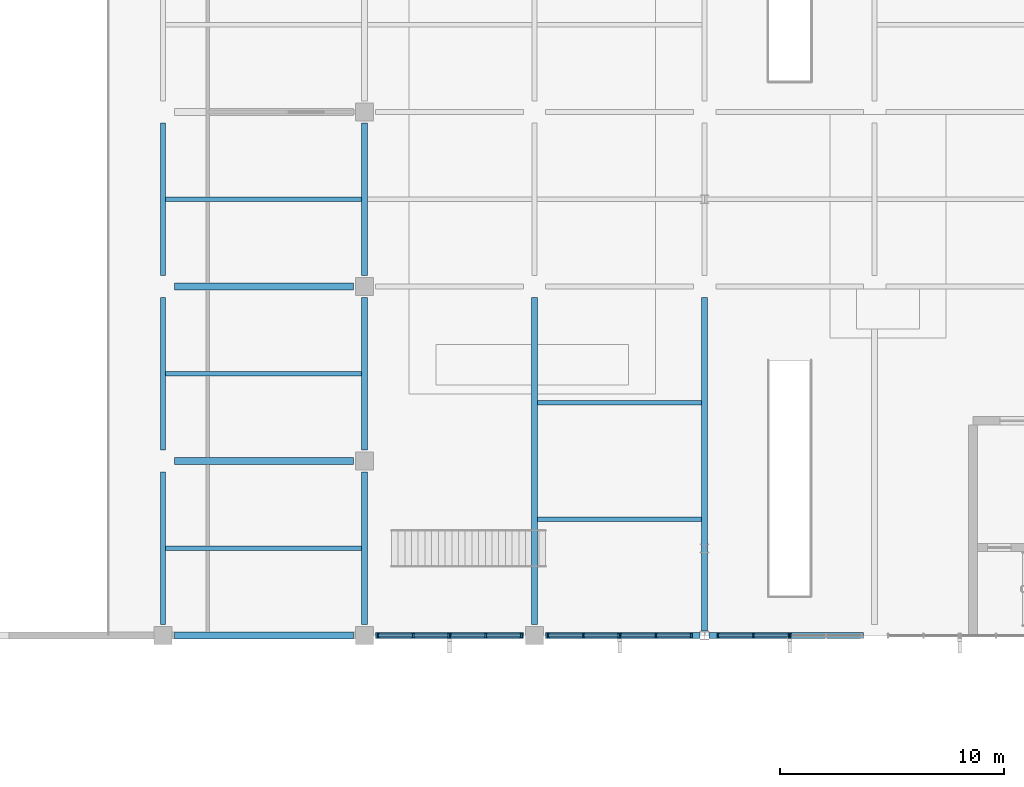
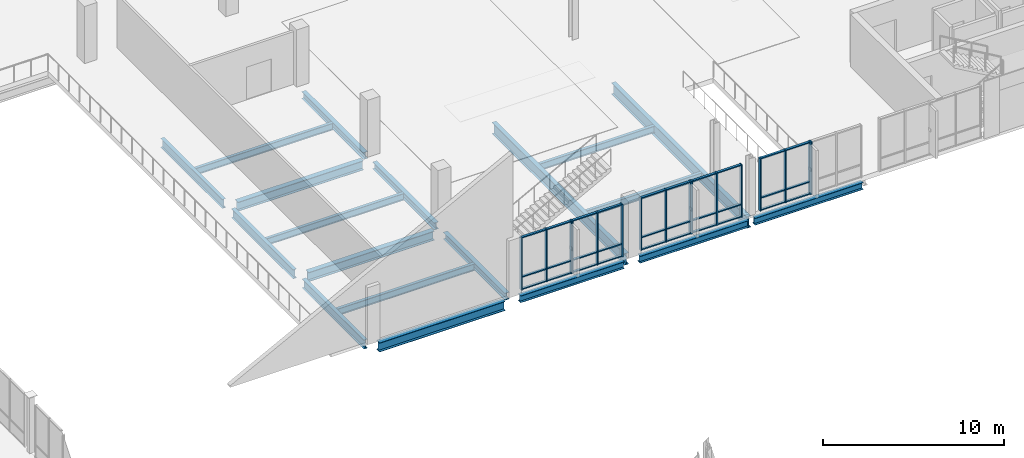
# One storey, part 25 of 85: 46 members, 19 beams, 6 elements without a shape of their own.
"""IFC4 building model written with IfcOpenShell, lengths in metres."""

from ifc_helpers import new_model, si_unit, direction, frame, origin, origin_2d, place, context, subcontext, project, spatial, rectangle, i_section, extrude, material, material_profile, profile_set, type_object, element, aggregate, save


model = new_model("IFC4")

# Units and contexts
model_context = context("Model", 3, precision=1e-05, world=origin(), true_north=direction((0.0, 1.0)))
body_context = subcontext(model_context, "Body", "Model", "MODEL_VIEW")
ifc_project = project(units=[si_unit("LENGTHUNIT", "METRE"), si_unit("AREAUNIT", "SQUARE_METRE"), si_unit("VOLUMEUNIT", "CUBIC_METRE"), si_unit("PLANEANGLEUNIT", "RADIAN"), si_unit("MASSUNIT", "GRAM", prefix="KILO")], contexts=[model_context])

# Site, building, storey
site_placement = place(None, origin())
site = spatial("IfcSite", under=ifc_project, at=site_placement, CompositionType="ELEMENT")
building_placement = place(site_placement, origin())
building = spatial("IfcBuilding", under=site, at=building_placement, Name="Vervanel Yard Central Library", CompositionType="ELEMENT")
storey_placement = place(building_placement, frame((0.0, 0.0, 5.10009765625)))
storey = spatial("IfcBuildingStorey", under=building, at=storey_placement, Name="L01", CompositionType="ELEMENT", Elevation=5.10009765625)

# Curtain wall, members
ifc_material_1 = material(Name="Thermally broken anodized aluminium 6063-T6", Category="aluminium")
curtain_wall_type = type_object("IfcCurtainWallType", Name="Reading Hall Full-Height Curtain Wall", PredefinedType="NOTDEFINED", material=ifc_material_1)
curtain_wall_1_placement = place(storey_placement, origin())
curtain_wall_1 = element("IfcCurtainWall", 1, at=curtain_wall_1_placement, inside=storey, type_object=curtain_wall_type, Name="L01 Reading Hall Full-Height Curtain Wall CWR-L01-060", PredefinedType="NOTDEFINED")
ifc_material_profile_1 = material_profile(ifc_material_1, rectangle(XDim=0.070068359375, YDim=0.219970703125, at=origin_2d()), Name="ALU 70x220", Category="aluminium")
ifc_profile_set_1 = profile_set([ifc_material_profile_1], Name="Thermally broken anodized aluminium 6063-T6")
member_type_1 = type_object("IfcMemberType", Name="Reading Hall Deep Mullion 70x220", PredefinedType="MULLION", material=ifc_profile_set_1)
member_1_placement = place(storey_placement, frame((108.594970703125, 43.199951171875, 0.0), z_axis=(0.0, 0.0, 1.0), x_axis=(1.0, 0.0, 0.0)))
member_1 = element("IfcMember", 2, at=member_1_placement, type_object=member_type_1, Name="CWR-L01-060 Mullion 1", PredefinedType="MULLION", context=body_context, shape_type="SweptSolid", body=[
    extrude(rectangle(XDim=0.070068359375, YDim=0.219970703125, at=origin_2d()), origin(), (0.0, 0.0, 1.0), 3.52978515625),
])
member_2_placement = place(storey_placement, frame((110.179931640625, 43.199951171875, 0.0), z_axis=(0.0, 0.0, 1.0), x_axis=(1.0, 0.0, 0.0)))
member_2 = element("IfcMember", 3, at=member_2_placement, type_object=member_type_1, Name="CWR-L01-060 Mullion 2", PredefinedType="MULLION", context=body_context, shape_type="SweptSolid", body=[
    extrude(rectangle(XDim=0.070068359375, YDim=0.219970703125, at=origin_2d()), origin(), (0.0, 0.0, 1.0), 3.52978515625),
])
member_3_placement = place(storey_placement, frame((111.764892578125, 43.199951171875, 0.0), z_axis=(0.0, 0.0, 1.0), x_axis=(1.0, 0.0, 0.0)))
member_3 = element("IfcMember", 4, at=member_3_placement, type_object=member_type_1, Name="CWR-L01-060 Mullion 3", PredefinedType="MULLION", context=body_context, shape_type="SweptSolid", body=[
    extrude(rectangle(XDim=0.070068359375, YDim=0.219970703125, at=origin_2d()), origin(), (0.0, 0.0, 1.0), 3.52978515625),
])

curtain_wall_2_placement = place(storey_placement, origin())
curtain_wall_2 = element("IfcCurtainWall", 5, at=curtain_wall_2_placement, inside=storey, type_object=curtain_wall_type, Name="L01 Reading Hall Full-Height Curtain Wall CWR-L01-061", PredefinedType="NOTDEFINED")
member_4_placement = place(storey_placement, frame((111.8349609375, 43.199951171875, 0.0), z_axis=(0.0, 0.0, 1.0), x_axis=(1.0, 0.0, 0.0)))
member_4 = element("IfcMember", 6, at=member_4_placement, type_object=member_type_1, Name="CWR-L01-061 Mullion 1", PredefinedType="MULLION", context=body_context, shape_type="SweptSolid", body=[
    extrude(rectangle(XDim=0.070068359375, YDim=0.219970703125, at=origin_2d()), origin(), (0.0, 0.0, 1.0), 3.52978515625),
])
member_5_placement = place(storey_placement, frame((113.419921875, 43.199951171875, 0.0), z_axis=(0.0, 0.0, 1.0), x_axis=(1.0, 0.0, 0.0)))
member_5 = element("IfcMember", 7, at=member_5_placement, type_object=member_type_1, Name="CWR-L01-061 Mullion 2", PredefinedType="MULLION", context=body_context, shape_type="SweptSolid", body=[
    extrude(rectangle(XDim=0.070068359375, YDim=0.219970703125, at=origin_2d()), origin(), (0.0, 0.0, 1.0), 3.52978515625),
])
member_6_placement = place(storey_placement, frame((115.0048828125, 43.199951171875, 0.0), z_axis=(0.0, 0.0, 1.0), x_axis=(1.0, 0.0, 0.0)))
member_6 = element("IfcMember", 8, at=member_6_placement, type_object=member_type_1, Name="CWR-L01-061 Mullion 3", PredefinedType="MULLION", context=body_context, shape_type="SweptSolid", body=[
    extrude(rectangle(XDim=0.070068359375, YDim=0.219970703125, at=origin_2d()), origin(), (0.0, 0.0, 1.0), 3.52978515625),
])

curtain_wall_3_placement = place(storey_placement, origin())
curtain_wall_3 = element("IfcCurtainWall", 9, at=curtain_wall_3_placement, inside=storey, type_object=curtain_wall_type, Name="L01 Reading Hall Full-Height Curtain Wall CWR-L01-062", PredefinedType="NOTDEFINED")
member_7_placement = place(storey_placement, frame((116.195068359375, 43.199951171875, 0.0), z_axis=(0.0, 0.0, 1.0), x_axis=(1.0, 0.0, 0.0)))
member_7 = element("IfcMember", 10, at=member_7_placement, type_object=member_type_1, Name="CWR-L01-062 Mullion 1", PredefinedType="MULLION", context=body_context, shape_type="SweptSolid", body=[
    extrude(rectangle(XDim=0.070068359375, YDim=0.219970703125, at=origin_2d()), origin(), (0.0, 0.0, 1.0), 3.52978515625),
])
member_8_placement = place(storey_placement, frame((117.780029296875, 43.199951171875, 0.0), z_axis=(0.0, 0.0, 1.0), x_axis=(1.0, 0.0, 0.0)))
member_8 = element("IfcMember", 11, at=member_8_placement, type_object=member_type_1, Name="CWR-L01-062 Mullion 2", PredefinedType="MULLION", context=body_context, shape_type="SweptSolid", body=[
    extrude(rectangle(XDim=0.070068359375, YDim=0.219970703125, at=origin_2d()), origin(), (0.0, 0.0, 1.0), 3.52978515625),
])
member_9_placement = place(storey_placement, frame((119.364990234375, 43.199951171875, 0.0), z_axis=(0.0, 0.0, 1.0), x_axis=(1.0, 0.0, 0.0)))
member_9 = element("IfcMember", 12, at=member_9_placement, type_object=member_type_1, Name="CWR-L01-062 Mullion 3", PredefinedType="MULLION", context=body_context, shape_type="SweptSolid", body=[
    extrude(rectangle(XDim=0.070068359375, YDim=0.219970703125, at=origin_2d()), origin(), (0.0, 0.0, 1.0), 3.52978515625),
])

curtain_wall_4_placement = place(storey_placement, origin())
curtain_wall_4 = element("IfcCurtainWall", 13, at=curtain_wall_4_placement, inside=storey, type_object=curtain_wall_type, Name="L01 Reading Hall Full-Height Curtain Wall CWR-L01-063", PredefinedType="NOTDEFINED")
member_10_placement = place(storey_placement, frame((119.43505859375, 43.199951171875, 0.0), z_axis=(0.0, 0.0, 1.0), x_axis=(1.0, 0.0, 0.0)))
member_10 = element("IfcMember", 14, at=member_10_placement, type_object=member_type_1, Name="CWR-L01-063 Mullion 1", PredefinedType="MULLION", context=body_context, shape_type="SweptSolid", body=[
    extrude(rectangle(XDim=0.070068359375, YDim=0.219970703125, at=origin_2d()), origin(), (0.0, 0.0, 1.0), 3.52978515625),
])
member_11_placement = place(storey_placement, frame((121.02001953125, 43.199951171875, 0.0), z_axis=(0.0, 0.0, 1.0), x_axis=(1.0, 0.0, 0.0)))
member_11 = element("IfcMember", 15, at=member_11_placement, type_object=member_type_1, Name="CWR-L01-063 Mullion 2", PredefinedType="MULLION", context=body_context, shape_type="SweptSolid", body=[
    extrude(rectangle(XDim=0.070068359375, YDim=0.219970703125, at=origin_2d()), origin(), (0.0, 0.0, 1.0), 3.52978515625),
])
member_12_placement = place(storey_placement, frame((122.60498046875, 43.199951171875, 0.0), z_axis=(0.0, 0.0, 1.0), x_axis=(1.0, 0.0, 0.0)))
member_12 = element("IfcMember", 16, at=member_12_placement, type_object=member_type_1, Name="CWR-L01-063 Mullion 3", PredefinedType="MULLION", context=body_context, shape_type="SweptSolid", body=[
    extrude(rectangle(XDim=0.070068359375, YDim=0.219970703125, at=origin_2d()), origin(), (0.0, 0.0, 1.0), 3.52978515625),
])

curtain_wall_5_placement = place(storey_placement, origin())
curtain_wall_5 = element("IfcCurtainWall", 17, at=curtain_wall_5_placement, inside=storey, type_object=curtain_wall_type, Name="L01 Reading Hall Full-Height Curtain Wall CWR-L01-064", PredefinedType="NOTDEFINED")
member_13_placement = place(storey_placement, frame((123.794921875, 43.199951171875, 0.0), z_axis=(0.0, 0.0, 1.0), x_axis=(1.0, 0.0, 0.0)))
member_13 = element("IfcMember", 18, at=member_13_placement, type_object=member_type_1, Name="CWR-L01-064 Mullion 1", PredefinedType="MULLION", context=body_context, shape_type="SweptSolid", body=[
    extrude(rectangle(XDim=0.070068359375, YDim=0.219970703125, at=origin_2d()), origin(), (0.0, 0.0, 1.0), 3.52978515625),
])
member_14_placement = place(storey_placement, frame((125.3798828125, 43.199951171875, 0.0), z_axis=(0.0, 0.0, 1.0), x_axis=(1.0, 0.0, 0.0)))
member_14 = element("IfcMember", 19, at=member_14_placement, type_object=member_type_1, Name="CWR-L01-064 Mullion 2", PredefinedType="MULLION", context=body_context, shape_type="SweptSolid", body=[
    extrude(rectangle(XDim=0.070068359375, YDim=0.219970703125, at=origin_2d()), origin(), (0.0, 0.0, 1.0), 3.52978515625),
])
member_15_placement = place(storey_placement, frame((126.965087890625, 43.199951171875, 0.0), z_axis=(0.0, 0.0, 1.0), x_axis=(1.0, 0.0, 0.0)))
member_15 = element("IfcMember", 20, at=member_15_placement, type_object=member_type_1, Name="CWR-L01-064 Mullion 3", PredefinedType="MULLION", context=body_context, shape_type="SweptSolid", body=[
    extrude(rectangle(XDim=0.070068359375, YDim=0.219970703125, at=origin_2d()), origin(), (0.0, 0.0, 1.0), 3.52978515625),
])

# Curtain wall, member
curtain_wall_6_placement = place(storey_placement, origin())
curtain_wall_6 = element("IfcCurtainWall", 21, at=curtain_wall_6_placement, inside=storey, type_object=curtain_wall_type, Name="L01 Reading Hall Full-Height Curtain Wall CWR-L01-065", PredefinedType="NOTDEFINED")
member_16_placement = place(storey_placement, frame((127.034912109375, 43.199951171875, 0.0), z_axis=(0.0, 0.0, 1.0), x_axis=(1.0, 0.0, 0.0)))
member_16 = element("IfcMember", 22, at=member_16_placement, type_object=member_type_1, Name="CWR-L01-065 Mullion 1", PredefinedType="MULLION", context=body_context, shape_type="SweptSolid", body=[
    extrude(rectangle(XDim=0.070068359375, YDim=0.219970703125, at=origin_2d()), origin(), (0.0, 0.0, 1.0), 3.52978515625),
])
aggregate(curtain_wall_6, [member_16])

# Member
ifc_material_profile_2 = material_profile(ifc_material_1, rectangle(XDim=0.070068359375, YDim=0.14990234375, at=origin_2d()), Name="ALU 70x150", Category="aluminium")
ifc_profile_set_2 = profile_set([ifc_material_profile_2], Name="Thermally broken anodized aluminium 6063-T6")
member_type_2 = type_object("IfcMemberType", Name="Reading Hall Deep Transom 70x150", PredefinedType="NOTDEFINED", material=ifc_profile_set_2)
member_17_placement = place(storey_placement, frame((108.6298828125, 43.199951171875, 0.034912109375), z_axis=(1.0, 0.0, 0.0), x_axis=(0.0, 0.0, 1.0)))
member_17 = element("IfcMember", 23, at=member_17_placement, type_object=member_type_2, Name="CWR-L01-060 Transom B1-T1", ObjectType="TRANSOM", PredefinedType="USERDEFINED", context=body_context, shape_type="SweptSolid", body=[
    extrude(rectangle(XDim=0.070068359375, YDim=0.14990234375, at=origin_2d()), origin(), (0.0, 0.0, 1.0), 1.51513671875),
])

member_18_placement = place(storey_placement, frame((108.6298828125, 43.199951171875, 0.849853515625), z_axis=(1.0, 0.0, 0.0), x_axis=(0.0, 0.0, 1.0)))
member_18 = element("IfcMember", 24, at=member_18_placement, type_object=member_type_2, Name="CWR-L01-060 Transom B1-T2", ObjectType="TRANSOM", PredefinedType="USERDEFINED", context=body_context, shape_type="SweptSolid", body=[
    extrude(rectangle(XDim=0.070068359375, YDim=0.14990234375, at=origin_2d()), origin(), (0.0, 0.0, 1.0), 1.51513671875),
])

member_19_placement = place(storey_placement, frame((108.6298828125, 43.199951171875, 3.494873046875), z_axis=(1.0, 0.0, 0.0), x_axis=(0.0, 0.0, 1.0)))
member_19 = element("IfcMember", 25, at=member_19_placement, type_object=member_type_2, Name="CWR-L01-060 Transom B1-T3", ObjectType="TRANSOM", PredefinedType="USERDEFINED", context=body_context, shape_type="SweptSolid", body=[
    extrude(rectangle(XDim=0.070068359375, YDim=0.14990234375, at=origin_2d()), origin(), (0.0, 0.0, 1.0), 1.51513671875),
])

member_20_placement = place(storey_placement, frame((110.215087890625, 43.199951171875, 0.034912109375), z_axis=(1.0, 0.0, 0.0), x_axis=(0.0, 0.0, 1.0)))
member_20 = element("IfcMember", 26, at=member_20_placement, type_object=member_type_2, Name="CWR-L01-060 Transom B2-T1", ObjectType="TRANSOM", PredefinedType="USERDEFINED", context=body_context, shape_type="SweptSolid", body=[
    extrude(rectangle(XDim=0.070068359375, YDim=0.14990234375, at=origin_2d()), origin(), (0.0, 0.0, 1.0), 1.514892578125),
])

member_21_placement = place(storey_placement, frame((110.215087890625, 43.199951171875, 0.849853515625), z_axis=(1.0, 0.0, 0.0), x_axis=(0.0, 0.0, 1.0)))
member_21 = element("IfcMember", 27, at=member_21_placement, type_object=member_type_2, Name="CWR-L01-060 Transom B2-T2", ObjectType="TRANSOM", PredefinedType="USERDEFINED", context=body_context, shape_type="SweptSolid", body=[
    extrude(rectangle(XDim=0.070068359375, YDim=0.14990234375, at=origin_2d()), origin(), (0.0, 0.0, 1.0), 1.514892578125),
])

member_22_placement = place(storey_placement, frame((110.215087890625, 43.199951171875, 3.494873046875), z_axis=(1.0, 0.0, 0.0), x_axis=(0.0, 0.0, 1.0)))
member_22 = element("IfcMember", 28, at=member_22_placement, type_object=member_type_2, Name="CWR-L01-060 Transom B2-T3", ObjectType="TRANSOM", PredefinedType="USERDEFINED", context=body_context, shape_type="SweptSolid", body=[
    extrude(rectangle(XDim=0.070068359375, YDim=0.14990234375, at=origin_2d()), origin(), (0.0, 0.0, 1.0), 1.514892578125),
])

aggregate(curtain_wall_1, [member_1, member_2, member_3, member_17, member_18, member_19, member_20, member_21, member_22])

member_23_placement = place(storey_placement, frame((111.8701171875, 43.199951171875, 0.034912109375), z_axis=(1.0, 0.0, 0.0), x_axis=(0.0, 0.0, 1.0)))
member_23 = element("IfcMember", 29, at=member_23_placement, type_object=member_type_2, Name="CWR-L01-061 Transom B1-T1", ObjectType="TRANSOM", PredefinedType="USERDEFINED", context=body_context, shape_type="SweptSolid", body=[
    extrude(rectangle(XDim=0.070068359375, YDim=0.14990234375, at=origin_2d()), origin(), (0.0, 0.0, 1.0), 1.514892578125),
])

member_24_placement = place(storey_placement, frame((111.8701171875, 43.199951171875, 0.849853515625), z_axis=(1.0, 0.0, 0.0), x_axis=(0.0, 0.0, 1.0)))
member_24 = element("IfcMember", 30, at=member_24_placement, type_object=member_type_2, Name="CWR-L01-061 Transom B1-T2", ObjectType="TRANSOM", PredefinedType="USERDEFINED", context=body_context, shape_type="SweptSolid", body=[
    extrude(rectangle(XDim=0.070068359375, YDim=0.14990234375, at=origin_2d()), origin(), (0.0, 0.0, 1.0), 1.514892578125),
])

member_25_placement = place(storey_placement, frame((111.8701171875, 43.199951171875, 3.494873046875), z_axis=(1.0, 0.0, 0.0), x_axis=(0.0, 0.0, 1.0)))
member_25 = element("IfcMember", 31, at=member_25_placement, type_object=member_type_2, Name="CWR-L01-061 Transom B1-T3", ObjectType="TRANSOM", PredefinedType="USERDEFINED", context=body_context, shape_type="SweptSolid", body=[
    extrude(rectangle(XDim=0.070068359375, YDim=0.14990234375, at=origin_2d()), origin(), (0.0, 0.0, 1.0), 1.514892578125),
])

member_26_placement = place(storey_placement, frame((113.455078125, 43.199951171875, 0.034912109375), z_axis=(1.0, 0.0, 0.0), x_axis=(0.0, 0.0, 1.0)))
member_26 = element("IfcMember", 32, at=member_26_placement, type_object=member_type_2, Name="CWR-L01-061 Transom B2-T1", ObjectType="TRANSOM", PredefinedType="USERDEFINED", context=body_context, shape_type="SweptSolid", body=[
    extrude(rectangle(XDim=0.070068359375, YDim=0.14990234375, at=origin_2d()), origin(), (0.0, 0.0, 1.0), 1.514892578125),
])

member_27_placement = place(storey_placement, frame((113.455078125, 43.199951171875, 0.849853515625), z_axis=(1.0, 0.0, 0.0), x_axis=(0.0, 0.0, 1.0)))
member_27 = element("IfcMember", 33, at=member_27_placement, type_object=member_type_2, Name="CWR-L01-061 Transom B2-T2", ObjectType="TRANSOM", PredefinedType="USERDEFINED", context=body_context, shape_type="SweptSolid", body=[
    extrude(rectangle(XDim=0.070068359375, YDim=0.14990234375, at=origin_2d()), origin(), (0.0, 0.0, 1.0), 1.514892578125),
])

member_28_placement = place(storey_placement, frame((113.455078125, 43.199951171875, 3.494873046875), z_axis=(1.0, 0.0, 0.0), x_axis=(0.0, 0.0, 1.0)))
member_28 = element("IfcMember", 34, at=member_28_placement, type_object=member_type_2, Name="CWR-L01-061 Transom B2-T3", ObjectType="TRANSOM", PredefinedType="USERDEFINED", context=body_context, shape_type="SweptSolid", body=[
    extrude(rectangle(XDim=0.070068359375, YDim=0.14990234375, at=origin_2d()), origin(), (0.0, 0.0, 1.0), 1.514892578125),
])

aggregate(curtain_wall_2, [member_4, member_5, member_6, member_23, member_24, member_25, member_26, member_27, member_28])

member_29_placement = place(storey_placement, frame((116.22998046875, 43.199951171875, 0.034912109375), z_axis=(1.0, 0.0, 0.0), x_axis=(0.0, 0.0, 1.0)))
member_29 = element("IfcMember", 35, at=member_29_placement, type_object=member_type_2, Name="CWR-L01-062 Transom B1-T1", ObjectType="TRANSOM", PredefinedType="USERDEFINED", context=body_context, shape_type="SweptSolid", body=[
    extrude(rectangle(XDim=0.070068359375, YDim=0.14990234375, at=origin_2d()), origin(), (0.0, 0.0, 1.0), 1.51513671875),
])

member_30_placement = place(storey_placement, frame((116.22998046875, 43.199951171875, 0.849853515625), z_axis=(1.0, 0.0, 0.0), x_axis=(0.0, 0.0, 1.0)))
member_30 = element("IfcMember", 36, at=member_30_placement, type_object=member_type_2, Name="CWR-L01-062 Transom B1-T2", ObjectType="TRANSOM", PredefinedType="USERDEFINED", context=body_context, shape_type="SweptSolid", body=[
    extrude(rectangle(XDim=0.070068359375, YDim=0.14990234375, at=origin_2d()), origin(), (0.0, 0.0, 1.0), 1.51513671875),
])

member_31_placement = place(storey_placement, frame((116.22998046875, 43.199951171875, 3.494873046875), z_axis=(1.0, 0.0, 0.0), x_axis=(0.0, 0.0, 1.0)))
member_31 = element("IfcMember", 37, at=member_31_placement, type_object=member_type_2, Name="CWR-L01-062 Transom B1-T3", ObjectType="TRANSOM", PredefinedType="USERDEFINED", context=body_context, shape_type="SweptSolid", body=[
    extrude(rectangle(XDim=0.070068359375, YDim=0.14990234375, at=origin_2d()), origin(), (0.0, 0.0, 1.0), 1.51513671875),
])

member_32_placement = place(storey_placement, frame((117.81494140625, 43.199951171875, 0.034912109375), z_axis=(1.0, 0.0, 0.0), x_axis=(0.0, 0.0, 1.0)))
member_32 = element("IfcMember", 38, at=member_32_placement, type_object=member_type_2, Name="CWR-L01-062 Transom B2-T1", ObjectType="TRANSOM", PredefinedType="USERDEFINED", context=body_context, shape_type="SweptSolid", body=[
    extrude(rectangle(XDim=0.070068359375, YDim=0.14990234375, at=origin_2d()), origin(), (0.0, 0.0, 1.0), 1.51513671875),
])

member_33_placement = place(storey_placement, frame((117.81494140625, 43.199951171875, 0.849853515625), z_axis=(1.0, 0.0, 0.0), x_axis=(0.0, 0.0, 1.0)))
member_33 = element("IfcMember", 39, at=member_33_placement, type_object=member_type_2, Name="CWR-L01-062 Transom B2-T2", ObjectType="TRANSOM", PredefinedType="USERDEFINED", context=body_context, shape_type="SweptSolid", body=[
    extrude(rectangle(XDim=0.070068359375, YDim=0.14990234375, at=origin_2d()), origin(), (0.0, 0.0, 1.0), 1.51513671875),
])

member_34_placement = place(storey_placement, frame((117.81494140625, 43.199951171875, 3.494873046875), z_axis=(1.0, 0.0, 0.0), x_axis=(0.0, 0.0, 1.0)))
member_34 = element("IfcMember", 40, at=member_34_placement, type_object=member_type_2, Name="CWR-L01-062 Transom B2-T3", ObjectType="TRANSOM", PredefinedType="USERDEFINED", context=body_context, shape_type="SweptSolid", body=[
    extrude(rectangle(XDim=0.070068359375, YDim=0.14990234375, at=origin_2d()), origin(), (0.0, 0.0, 1.0), 1.51513671875),
])

aggregate(curtain_wall_3, [member_7, member_8, member_9, member_29, member_30, member_31, member_32, member_33, member_34])

member_35_placement = place(storey_placement, frame((119.469970703125, 43.199951171875, 0.034912109375), z_axis=(1.0, 0.0, 0.0), x_axis=(0.0, 0.0, 1.0)))
member_35 = element("IfcMember", 41, at=member_35_placement, type_object=member_type_2, Name="CWR-L01-063 Transom B1-T1", ObjectType="TRANSOM", PredefinedType="USERDEFINED", context=body_context, shape_type="SweptSolid", body=[
    extrude(rectangle(XDim=0.070068359375, YDim=0.14990234375, at=origin_2d()), origin(), (0.0, 0.0, 1.0), 1.51513671875),
])

member_36_placement = place(storey_placement, frame((119.469970703125, 43.199951171875, 0.849853515625), z_axis=(1.0, 0.0, 0.0), x_axis=(0.0, 0.0, 1.0)))
member_36 = element("IfcMember", 42, at=member_36_placement, type_object=member_type_2, Name="CWR-L01-063 Transom B1-T2", ObjectType="TRANSOM", PredefinedType="USERDEFINED", context=body_context, shape_type="SweptSolid", body=[
    extrude(rectangle(XDim=0.070068359375, YDim=0.14990234375, at=origin_2d()), origin(), (0.0, 0.0, 1.0), 1.51513671875),
])

member_37_placement = place(storey_placement, frame((119.469970703125, 43.199951171875, 3.494873046875), z_axis=(1.0, 0.0, 0.0), x_axis=(0.0, 0.0, 1.0)))
member_37 = element("IfcMember", 43, at=member_37_placement, type_object=member_type_2, Name="CWR-L01-063 Transom B1-T3", ObjectType="TRANSOM", PredefinedType="USERDEFINED", context=body_context, shape_type="SweptSolid", body=[
    extrude(rectangle(XDim=0.070068359375, YDim=0.14990234375, at=origin_2d()), origin(), (0.0, 0.0, 1.0), 1.51513671875),
])

member_38_placement = place(storey_placement, frame((121.054931640625, 43.199951171875, 0.034912109375), z_axis=(1.0, 0.0, 0.0), x_axis=(0.0, 0.0, 1.0)))
member_38 = element("IfcMember", 44, at=member_38_placement, type_object=member_type_2, Name="CWR-L01-063 Transom B2-T1", ObjectType="TRANSOM", PredefinedType="USERDEFINED", context=body_context, shape_type="SweptSolid", body=[
    extrude(rectangle(XDim=0.070068359375, YDim=0.14990234375, at=origin_2d()), origin(), (0.0, 0.0, 1.0), 1.51513671875),
])

member_39_placement = place(storey_placement, frame((121.054931640625, 43.199951171875, 0.849853515625), z_axis=(1.0, 0.0, 0.0), x_axis=(0.0, 0.0, 1.0)))
member_39 = element("IfcMember", 45, at=member_39_placement, type_object=member_type_2, Name="CWR-L01-063 Transom B2-T2", ObjectType="TRANSOM", PredefinedType="USERDEFINED", context=body_context, shape_type="SweptSolid", body=[
    extrude(rectangle(XDim=0.070068359375, YDim=0.14990234375, at=origin_2d()), origin(), (0.0, 0.0, 1.0), 1.51513671875),
])

member_40_placement = place(storey_placement, frame((121.054931640625, 43.199951171875, 3.494873046875), z_axis=(1.0, 0.0, 0.0), x_axis=(0.0, 0.0, 1.0)))
member_40 = element("IfcMember", 46, at=member_40_placement, type_object=member_type_2, Name="CWR-L01-063 Transom B2-T3", ObjectType="TRANSOM", PredefinedType="USERDEFINED", context=body_context, shape_type="SweptSolid", body=[
    extrude(rectangle(XDim=0.070068359375, YDim=0.14990234375, at=origin_2d()), origin(), (0.0, 0.0, 1.0), 1.51513671875),
])

aggregate(curtain_wall_4, [member_10, member_11, member_12, member_35, member_36, member_37, member_38, member_39, member_40])

member_41_placement = place(storey_placement, frame((123.830078125, 43.199951171875, 0.034912109375), z_axis=(1.0, 0.0, 0.0), x_axis=(0.0, 0.0, 1.0)))
member_41 = element("IfcMember", 47, at=member_41_placement, type_object=member_type_2, Name="CWR-L01-064 Transom B1-T1", ObjectType="TRANSOM", PredefinedType="USERDEFINED", context=body_context, shape_type="SweptSolid", body=[
    extrude(rectangle(XDim=0.070068359375, YDim=0.14990234375, at=origin_2d()), origin(), (0.0, 0.0, 1.0), 1.514892578125),
])

member_42_placement = place(storey_placement, frame((123.830078125, 43.199951171875, 0.849853515625), z_axis=(1.0, 0.0, 0.0), x_axis=(0.0, 0.0, 1.0)))
member_42 = element("IfcMember", 48, at=member_42_placement, type_object=member_type_2, Name="CWR-L01-064 Transom B1-T2", ObjectType="TRANSOM", PredefinedType="USERDEFINED", context=body_context, shape_type="SweptSolid", body=[
    extrude(rectangle(XDim=0.070068359375, YDim=0.14990234375, at=origin_2d()), origin(), (0.0, 0.0, 1.0), 1.514892578125),
])

member_43_placement = place(storey_placement, frame((123.830078125, 43.199951171875, 3.494873046875), z_axis=(1.0, 0.0, 0.0), x_axis=(0.0, 0.0, 1.0)))
member_43 = element("IfcMember", 49, at=member_43_placement, type_object=member_type_2, Name="CWR-L01-064 Transom B1-T3", ObjectType="TRANSOM", PredefinedType="USERDEFINED", context=body_context, shape_type="SweptSolid", body=[
    extrude(rectangle(XDim=0.070068359375, YDim=0.14990234375, at=origin_2d()), origin(), (0.0, 0.0, 1.0), 1.514892578125),
])

member_44_placement = place(storey_placement, frame((125.4150390625, 43.199951171875, 0.034912109375), z_axis=(1.0, 0.0, 0.0), x_axis=(0.0, 0.0, 1.0)))
member_44 = element("IfcMember", 50, at=member_44_placement, type_object=member_type_2, Name="CWR-L01-064 Transom B2-T1", ObjectType="TRANSOM", PredefinedType="USERDEFINED", context=body_context, shape_type="SweptSolid", body=[
    extrude(rectangle(XDim=0.070068359375, YDim=0.14990234375, at=origin_2d()), origin(), (0.0, 0.0, 1.0), 1.514892578125),
])

member_45_placement = place(storey_placement, frame((125.4150390625, 43.199951171875, 0.849853515625), z_axis=(1.0, 0.0, 0.0), x_axis=(0.0, 0.0, 1.0)))
member_45 = element("IfcMember", 51, at=member_45_placement, type_object=member_type_2, Name="CWR-L01-064 Transom B2-T2", ObjectType="TRANSOM", PredefinedType="USERDEFINED", context=body_context, shape_type="SweptSolid", body=[
    extrude(rectangle(XDim=0.070068359375, YDim=0.14990234375, at=origin_2d()), origin(), (0.0, 0.0, 1.0), 1.514892578125),
])

member_46_placement = place(storey_placement, frame((125.4150390625, 43.199951171875, 3.494873046875), z_axis=(1.0, 0.0, 0.0), x_axis=(0.0, 0.0, 1.0)))
member_46 = element("IfcMember", 52, at=member_46_placement, type_object=member_type_2, Name="CWR-L01-064 Transom B2-T3", ObjectType="TRANSOM", PredefinedType="USERDEFINED", context=body_context, shape_type="SweptSolid", body=[
    extrude(rectangle(XDim=0.070068359375, YDim=0.14990234375, at=origin_2d()), origin(), (0.0, 0.0, 1.0), 1.514892578125),
])

aggregate(curtain_wall_5, [member_13, member_14, member_15, member_41, member_42, member_43, member_44, member_45, member_46])

# Beams
ifc_material_2 = material(Name="Steel ASTM A992 Grade 50", Category="steel")
ifc_material_profile_3 = material_profile(ifc_material_2, i_section(OverallWidth=0.32763671875, OverallDepth=0.622314453125, WebThickness=0.015380859375, FlangeThickness=0.0244140625, at=origin_2d()), Name="W24X131", Category="steel")
ifc_profile_set_3 = profile_set([ifc_material_profile_3], Name="Steel ASTM A992 Grade 50")
beam_type_1 = type_object("IfcBeamType", Name="Steel Primary Girder W24X131", PredefinedType="BEAM", material=ifc_profile_set_3)
for number, where, z_axis, x_axis, name in (
    (53, (99.5, 43.199951171875, -0.63623046875), (1.0, 0.0, 0.0), (0.0, 1.0, 0.0), "L01 Girder SB-02 Y=43.2 X=99.0-108.0"),
    (54, (99.5, 51.0, -0.63623046875), (1.0, 0.0, 0.0), (0.0, 1.0, 0.0), "L01 Girder SB-02 Y=51.0 X=99.0-108.0"),
    (55, (99.5, 58.800048828125, -0.63623046875), (1.0, 0.0, 0.0), (0.0, 1.0, 0.0), "L01 Girder SB-02 Y=58.8 X=99.0-108.0"),
):
    element("IfcBeam", number, at=place(storey_placement, frame(where, z_axis=z_axis, x_axis=x_axis)), inside=storey, type_object=beam_type_1, Name=name, PredefinedType="BEAM", context=body_context, shape_type="SweptSolid", body=[
        extrude(i_section(OverallWidth=0.32763671875, OverallDepth=0.622314453125, WebThickness=0.015380859375, FlangeThickness=0.0244140625, at=origin_2d()), origin(), (0.0, 0.0, 1.0), 8.0),
    ])
ifc_material_profile_4 = material_profile(ifc_material_2, i_section(OverallWidth=0.22900390625, OverallDepth=0.612060546875, WebThickness=0.011962890625, FlangeThickness=0.01953125, at=origin_2d()), Name="W24X84", Category="steel")
ifc_profile_set_4 = profile_set([ifc_material_profile_4], Name="Steel ASTM A992 Grade 50")
beam_type_2 = type_object("IfcBeamType", Name="Steel Primary Girder W24X84", PredefinedType="BEAM", material=ifc_profile_set_4)
for number, where, z_axis, x_axis, name in (
    (56, (99.0, 43.699951171875, -0.631103515625), (0.0, 1.0, 0.0), (-1.0, 0.0, 0.0), "L01 Girder SB-01 X=99.0 Y=43.2-51.0"),
    (57, (99.0, 51.5, -0.631103515625), (0.0, 1.0, 0.0), (-1.0, 0.0, 0.0), "L01 Girder SB-01 X=99.0 Y=51.0-58.8"),
    (58, (99.0, 59.300048828125, -0.631103515625), (0.0, 1.0, 0.0), (-1.0, 0.0, 0.0), "L01 Girder SB-01 X=99.0 Y=58.8-66.6"),
):
    element("IfcBeam", number, at=place(storey_placement, frame(where, z_axis=z_axis, x_axis=x_axis)), inside=storey, type_object=beam_type_2, Name=name, PredefinedType="BEAM", context=body_context, shape_type="SweptSolid", body=[
        extrude(i_section(OverallWidth=0.22900390625, OverallDepth=0.612060546875, WebThickness=0.011962890625, FlangeThickness=0.01953125, at=origin_2d()), origin(), (0.0, 0.0, 1.0), 6.800048828125),
    ])
ifc_material_profile_5 = material_profile(ifc_material_2, i_section(OverallWidth=0.2666015625, OverallDepth=0.76953125, WebThickness=0.015625, FlangeThickness=0.025390625, at=origin_2d()), Name="W30X132", Category="steel")
ifc_profile_set_5 = profile_set([ifc_material_profile_5], Name="Steel ASTM A992 Grade 50")
beam_type_3 = type_object("IfcBeamType", Name="Steel Reading Hall Girder W30X132", PredefinedType="BEAM", material=ifc_profile_set_5)
beam_1_placement = place(storey_placement, frame((115.60009765625, 43.699951171875, -0.7099609375), z_axis=(0.0, 1.0, 0.0), x_axis=(-1.0, 0.0, 0.0)))
element("IfcBeam", 59, at=beam_1_placement, inside=storey, type_object=beam_type_3, Name="L01 Girder SB-04 X=115.6 Y=43.2-58.8", PredefinedType="BEAM", context=body_context, shape_type="SweptSolid", body=[
    extrude(i_section(OverallWidth=0.2666015625, OverallDepth=0.76953125, WebThickness=0.015625, FlangeThickness=0.025390625, at=origin_2d()), origin(), (0.0, 0.0, 1.0), 14.60009765625),
])
beam_2_placement = place(storey_placement, frame((123.199951171875, 43.3994140625, -0.7099609375), z_axis=(0.0, 1.0, 0.0), x_axis=(-1.0, 0.0, 0.0)))
element("IfcBeam", 60, at=beam_2_placement, inside=storey, type_object=beam_type_3, Name="L01 Girder SB-04 X=123.2 Y=43.2-58.8", PredefinedType="BEAM", context=body_context, shape_type="SweptSolid", body=[
    extrude(i_section(OverallWidth=0.2666015625, OverallDepth=0.76953125, WebThickness=0.015625, FlangeThickness=0.025390625, at=origin_2d()), origin(), (0.0, 0.0, 1.0), 14.900634765625),
])
ifc_material_profile_6 = material_profile(ifc_material_2, i_section(OverallWidth=0.191162109375, OverallDepth=0.459716796875, WebThickness=0.010009765625, FlangeThickness=0.01611328125, at=origin_2d()), Name="W18X55", Category="steel")
ifc_profile_set_6 = profile_set([ifc_material_profile_6], Name="Steel ASTM A992 Grade 50")
beam_type_4 = type_object("IfcBeamType", Name="Steel Secondary Joist W18X55", PredefinedType="JOIST", material=ifc_profile_set_6)
for number, where, z_axis, x_axis, name in (
    (61, (99.114501953125, 47.10009765625, -0.554931640625), (1.0, 0.0, 0.0), (0.0, 1.0, 0.0), "L01 Floor Joist SJ-03 Y=47.10 X=99.0-108.0"),
    (62, (99.114501953125, 54.89990234375, -0.554931640625), (1.0, 0.0, 0.0), (0.0, 1.0, 0.0), "L01 Floor Joist SJ-03 Y=54.90 X=99.0-108.0"),
    (63, (99.114501953125, 62.699951171875, -0.554931640625), (1.0, 0.0, 0.0), (0.0, 1.0, 0.0), "L01 Floor Joist SJ-03 Y=62.70 X=99.0-108.0"),
):
    element("IfcBeam", number, at=place(storey_placement, frame(where, z_axis=z_axis, x_axis=x_axis)), inside=storey, type_object=beam_type_4, Name=name, PredefinedType="JOIST", context=body_context, shape_type="SweptSolid", body=[
        extrude(i_section(OverallWidth=0.191162109375, OverallDepth=0.459716796875, WebThickness=0.010009765625, FlangeThickness=0.01611328125, at=origin_2d()), origin(), (0.0, 0.0, 1.0), 8.744384765625),
    ])
for number, where, z_axis, x_axis, name in (
    (64, (115.7333984375, 48.39990234375, -0.554931640625), (1.0, 0.0, 0.0), (0.0, 1.0, 0.0), "L01 Floor Joist SJ-03 Y=48.40 X=115.6-123.2"),
    (65, (115.7333984375, 53.60009765625, -0.554931640625), (1.0, 0.0, 0.0), (0.0, 1.0, 0.0), "L01 Floor Joist SJ-03 Y=53.60 X=115.6-123.2"),
):
    element("IfcBeam", number, at=place(storey_placement, frame(where, z_axis=z_axis, x_axis=x_axis)), inside=storey, type_object=beam_type_4, Name=name, PredefinedType="JOIST", context=body_context, shape_type="SweptSolid", body=[
        extrude(i_section(OverallWidth=0.191162109375, OverallDepth=0.459716796875, WebThickness=0.010009765625, FlangeThickness=0.01611328125, at=origin_2d()), origin(), (0.0, 0.0, 1.0), 7.333251953125),
    ])
ifc_material_profile_7 = material_profile(ifc_material_2, i_section(OverallWidth=0.281982421875, OverallDepth=0.46728515625, WebThickness=0.01220703125, FlangeThickness=0.01953125, at=origin_2d()), Name="W18X86", Category="steel")
ifc_profile_set_7 = profile_set([ifc_material_profile_7], Name="Steel ASTM A992 Grade 50")
beam_type_5 = type_object("IfcBeamType", Name="Steel Spandrel Beam W18X86", PredefinedType="SPANDREL", material=ifc_profile_set_7)
beam_3_placement = place(storey_placement, frame((108.5, 43.199951171875, -0.558837890625), z_axis=(1.0, 0.0, 0.0), x_axis=(0.0, 1.0, 0.0)))
element("IfcBeam", 66, at=beam_3_placement, inside=storey, type_object=beam_type_5, Name="L01 Girder SP-02 Y=43.2 X=108.0-115.6", PredefinedType="SPANDREL", context=body_context, shape_type="SweptSolid", body=[
    extrude(i_section(OverallWidth=0.281982421875, OverallDepth=0.46728515625, WebThickness=0.01220703125, FlangeThickness=0.01953125, at=origin_2d()), origin(), (0.0, 0.0, 1.0), 6.60009765625),
])
beam_4_placement = place(storey_placement, frame((116.10009765625, 43.199951171875, -0.558837890625), z_axis=(1.0, 0.0, 0.0), x_axis=(0.0, 1.0, 0.0)))
element("IfcBeam", 67, at=beam_4_placement, inside=storey, type_object=beam_type_5, Name="L01 Girder SP-02 Y=43.2 X=115.6-123.2", PredefinedType="SPANDREL", context=body_context, shape_type="SweptSolid", body=[
    extrude(i_section(OverallWidth=0.281982421875, OverallDepth=0.46728515625, WebThickness=0.01220703125, FlangeThickness=0.01953125, at=origin_2d()), origin(), (0.0, 0.0, 1.0), 6.899169921875),
])
beam_5_placement = place(storey_placement, frame((123.400634765625, 43.199951171875, -0.558837890625), z_axis=(1.0, 0.0, 0.0), x_axis=(0.0, 1.0, 0.0)))
element("IfcBeam", 68, at=beam_5_placement, inside=storey, type_object=beam_type_5, Name="L01 Girder SP-02 Y=43.2 X=123.2-130.8", PredefinedType="SPANDREL", context=body_context, shape_type="SweptSolid", body=[
    extrude(i_section(OverallWidth=0.281982421875, OverallDepth=0.46728515625, WebThickness=0.01220703125, FlangeThickness=0.01953125, at=origin_2d()), origin(), (0.0, 0.0, 1.0), 6.8994140625),
])
for number, where, z_axis, x_axis, name in (
    (69, (108.0, 43.699951171875, -0.558837890625), (0.0, 1.0, 0.0), (-1.0, 0.0, 0.0), "L01 Girder SP-02 X=108.0 Y=43.2-51.0"),
    (70, (108.0, 51.5, -0.558837890625), (0.0, 1.0, 0.0), (-1.0, 0.0, 0.0), "L01 Girder SP-02 X=108.0 Y=51.0-58.8"),
    (71, (108.0, 59.300048828125, -0.558837890625), (0.0, 1.0, 0.0), (-1.0, 0.0, 0.0), "L01 Girder SP-02 X=108.0 Y=58.8-66.6"),
):
    element("IfcBeam", number, at=place(storey_placement, frame(where, z_axis=z_axis, x_axis=x_axis)), inside=storey, type_object=beam_type_5, Name=name, PredefinedType="SPANDREL", context=body_context, shape_type="SweptSolid", body=[
        extrude(i_section(OverallWidth=0.281982421875, OverallDepth=0.46728515625, WebThickness=0.01220703125, FlangeThickness=0.01953125, at=origin_2d()), origin(), (0.0, 0.0, 1.0), 6.800048828125),
    ])

save(model, "model.ifc")
